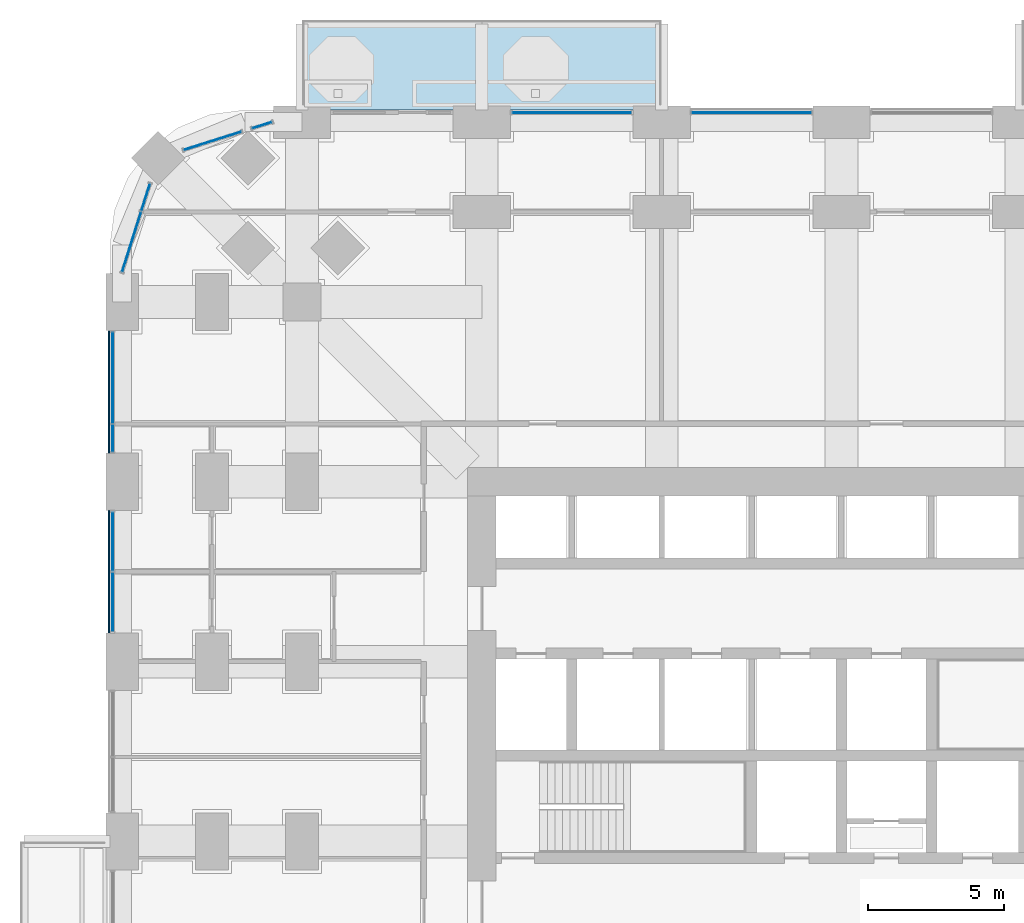
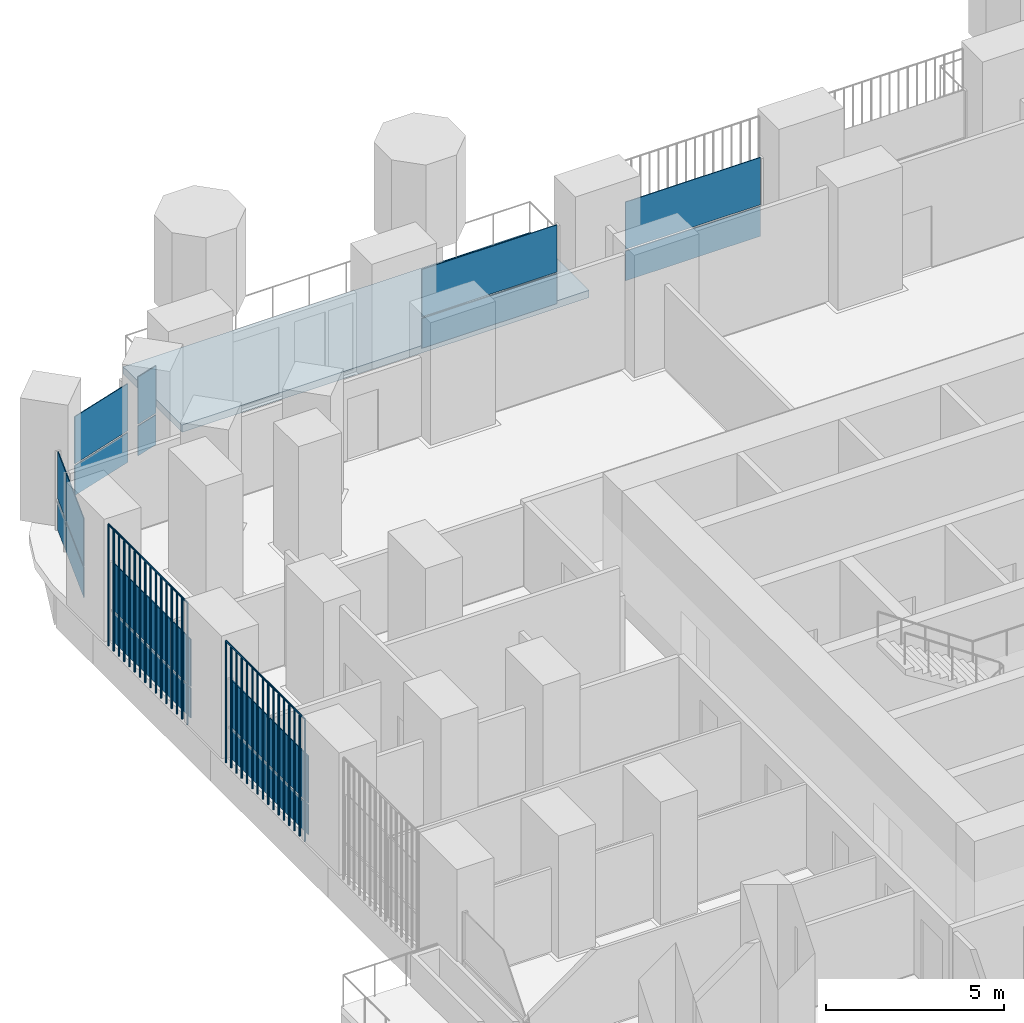
# One storey, part 15 of 27: 22 plates, 1 slab, 7 elements without a shape of their own.
"""IFC4 building model written with IfcOpenShell, lengths in metres."""

from ifc_helpers import new_model, si_unit, direction, frame, origin, origin_2d, place, context, subcontext, project, spatial, polyline, rectangle, outline, extrude, material, layer, layer_set, type_object, element, aggregate, save


model = new_model("IFC4")

# Units and contexts
model_context = context("Model", 3, precision=1e-05, world=origin(), true_north=direction((0.0, 1.0)))
body_context = subcontext(model_context, "Body", "Model", "MODEL_VIEW")
ifc_project = project(units=[si_unit("LENGTHUNIT", "METRE"), si_unit("AREAUNIT", "SQUARE_METRE"), si_unit("VOLUMEUNIT", "CUBIC_METRE"), si_unit("PLANEANGLEUNIT", "RADIAN"), si_unit("MASSUNIT", "GRAM", prefix="KILO")], contexts=[model_context])

# Site, building, storey
site_placement = place(None, origin())
site = spatial("IfcSite", under=ifc_project, at=site_placement, CompositionType="ELEMENT")
building_placement = place(site_placement, origin())
building = spatial("IfcBuilding", under=site, at=building_placement, Name="Cobogo Forest Laboratory Tower", CompositionType="ELEMENT")
storey_placement = place(building_placement, frame((0.0, 0.0, 46.5)))
storey = spatial("IfcBuildingStorey", under=building, at=storey_placement, Name="L10", CompositionType="ELEMENT", Elevation=46.5)

# Slab
ifc_material_1 = material(Name="Concrete HA-40 (C40/50)", Category="concrete")
ifc_layer_1 = layer(ifc_material_1, 0.25)
ifc_layer_set_1 = layer_set([ifc_layer_1], Name="Balcony slab 250")
slab_type = type_object("IfcSlabType", Name="Balcony slab 250", PredefinedType="FLOOR", material=ifc_layer_set_1)
slab_placement = place(storey_placement, frame((0.0, 0.0, -0.25)))
element("IfcSlab", 1, at=slab_placement, inside=storey, type_object=slab_type, Name="Balcony BAL-N1 L10", PredefinedType="FLOOR", context=body_context, shape_type="SweptSolid", body=[
    extrude(outline(polyline([(6.60009765625, 46.64990234375), (19.800048828125, 46.64990234375), (19.800048828125, 49.949951171875), (6.60009765625, 49.949951171875), (6.60009765625, 46.64990234375)])), origin(), (0.0, 0.0, 1.0), 0.25),
])

# Curtain wall, plates
ifc_material_2 = material(Name="Aluminium curtain wall", Category="aluminium")
curtain_wall_type = type_object("IfcCurtainWallType", Name="CW-1 unitised curtain wall, clear glazing, laboratory floors zones A and B", PredefinedType="USERDEFINED", material=ifc_material_2)
curtain_wall_1_placement = place(storey_placement, origin())
curtain_wall_1 = element("IfcCurtainWall", 2, at=curtain_wall_1_placement, inside=storey, type_object=curtain_wall_type, Name="Curtain wall 21 L10", ObjectType="UNITISED CURTAIN WALL", PredefinedType="USERDEFINED")
ifc_material_3 = material(Name="Clear insulated glass", Category="glass")
ifc_layer_2 = layer(ifc_material_3, 0.028076171875)
ifc_layer_set_2 = layer_set([ifc_layer_2], Name="GP-1 clear insulated glass unit 28")
plate_type_1 = type_object("IfcPlateType", Name="GP-1 clear insulated glass unit 28", PredefinedType="CURTAIN_PANEL", material=ifc_layer_set_2)
plate_1_placement = place(storey_placement, frame((23.10009765625, 46.550048828125, 0.0), z_axis=(0.0, 0.0, 1.0), x_axis=(-1.0, 0.0, 0.0)))
plate_1 = element("IfcPlate", 3, at=plate_1_placement, type_object=plate_type_1, Name="CW-1 panel 1.1", PredefinedType="CURTAIN_PANEL", context=body_context, shape_type="SweptSolid", body=[
    extrude(rectangle(XDim=4.3798828125, YDim=0.028076171875, at=origin_2d()), origin(), (0.0, 0.0, 1.0), 1.02001953125),
])
plate_2_placement = place(storey_placement, frame((23.10009765625, 46.550048828125, 1.079833984375), z_axis=(0.0, 0.0, 1.0), x_axis=(-1.0, 0.0, 0.0)))
plate_2 = element("IfcPlate", 4, at=plate_2_placement, type_object=plate_type_1, Name="CW-1 panel 1.2", PredefinedType="CURTAIN_PANEL", context=body_context, shape_type="SweptSolid", body=[
    extrude(rectangle(XDim=4.3798828125, YDim=0.028076171875, at=origin_2d()), origin(), (0.0, 0.0, 1.0), 1.6201171875),
])
aggregate(curtain_wall_1, [plate_1, plate_2])

curtain_wall_2_placement = place(storey_placement, origin())
curtain_wall_2 = element("IfcCurtainWall", 5, at=curtain_wall_2_placement, inside=storey, type_object=curtain_wall_type, Name="Curtain wall 22 L10", ObjectType="UNITISED CURTAIN WALL", PredefinedType="USERDEFINED")
plate_3_placement = place(storey_placement, frame((16.5, 46.550048828125, 0.0), z_axis=(0.0, 0.0, 1.0), x_axis=(-1.0, 0.0, 0.0)))
plate_3 = element("IfcPlate", 6, at=plate_3_placement, type_object=plate_type_1, Name="CW-1 panel 1.1", PredefinedType="CURTAIN_PANEL", context=body_context, shape_type="SweptSolid", body=[
    extrude(rectangle(XDim=4.3798828125, YDim=0.028076171875, at=origin_2d()), origin(), (0.0, 0.0, 1.0), 1.02001953125),
])
plate_4_placement = place(storey_placement, frame((16.5, 46.550048828125, 1.079833984375), z_axis=(0.0, 0.0, 1.0), x_axis=(-1.0, 0.0, 0.0)))
plate_4 = element("IfcPlate", 7, at=plate_4_placement, type_object=plate_type_1, Name="CW-1 panel 1.2", PredefinedType="CURTAIN_PANEL", context=body_context, shape_type="SweptSolid", body=[
    extrude(rectangle(XDim=4.3798828125, YDim=0.028076171875, at=origin_2d()), origin(), (0.0, 0.0, 1.0), 1.6201171875),
])
aggregate(curtain_wall_2, [plate_3, plate_4])

curtain_wall_3_placement = place(storey_placement, origin())
curtain_wall_3 = element("IfcCurtainWall", 8, at=curtain_wall_3_placement, inside=storey, type_object=curtain_wall_type, Name="Curtain wall 24 L10", ObjectType="UNITISED CURTAIN WALL", PredefinedType="USERDEFINED")
plate_5_placement = place(storey_placement, frame((5.134033203125, 46.087158203125, 0.0), z_axis=(0.0, 0.0, 1.0), x_axis=(-0.953581504428, -0.301135043481, 0.0)))
plate_5 = element("IfcPlate", 9, at=plate_5_placement, type_object=plate_type_1, Name="CW-1 panel 1.1", PredefinedType="CURTAIN_PANEL", context=body_context, shape_type="SweptSolid", body=[
    extrude(rectangle(XDim=0.75244140625, YDim=0.028076171875, at=origin_2d()), origin(), (0.0, 0.0, 1.0), 1.02001953125),
])
plate_6_placement = place(storey_placement, frame((5.134033203125, 46.087158203125, 1.079833984375), z_axis=(0.0, 0.0, 1.0), x_axis=(-0.953581504428, -0.301135043481, 0.0)))
plate_6 = element("IfcPlate", 10, at=plate_6_placement, type_object=plate_type_1, Name="CW-1 panel 1.2", PredefinedType="CURTAIN_PANEL", context=body_context, shape_type="SweptSolid", body=[
    extrude(rectangle(XDim=0.75244140625, YDim=0.028076171875, at=origin_2d()), origin(), (0.0, 0.0, 1.0), 1.6201171875),
])
aggregate(curtain_wall_3, [plate_5, plate_6])

curtain_wall_4_placement = place(storey_placement, origin())
curtain_wall_4 = element("IfcCurtainWall", 11, at=curtain_wall_4_placement, inside=storey, type_object=curtain_wall_type, Name="Curtain wall 25 L10", ObjectType="UNITISED CURTAIN WALL", PredefinedType="USERDEFINED")
plate_7_placement = place(storey_placement, frame((3.31787109375, 45.513427734375, 0.0), z_axis=(0.0, 0.0, 1.0), x_axis=(-0.953581409645, -0.301135343623, 0.0)))
plate_7 = element("IfcPlate", 12, at=plate_7_placement, type_object=plate_type_1, Name="CW-1 panel 1.1", PredefinedType="CURTAIN_PANEL", context=body_context, shape_type="SweptSolid", body=[
    extrude(rectangle(XDim=2.203369140625, YDim=0.028076171875, at=origin_2d()), origin(), (0.0, 0.0, 1.0), 1.02001953125),
])
plate_8_placement = place(storey_placement, frame((3.31787109375, 45.513427734375, 1.079833984375), z_axis=(0.0, 0.0, 1.0), x_axis=(-0.953581409645, -0.301135343623, 0.0)))
plate_8 = element("IfcPlate", 13, at=plate_8_placement, type_object=plate_type_1, Name="CW-1 panel 1.2", PredefinedType="CURTAIN_PANEL", context=body_context, shape_type="SweptSolid", body=[
    extrude(rectangle(XDim=2.203369140625, YDim=0.028076171875, at=origin_2d()), origin(), (0.0, 0.0, 1.0), 1.6201171875),
])
aggregate(curtain_wall_4, [plate_7, plate_8])

curtain_wall_5_placement = place(storey_placement, origin())
curtain_wall_5 = element("IfcCurtainWall", 14, at=curtain_wall_5_placement, inside=storey, type_object=curtain_wall_type, Name="Curtain wall 26 L10", ObjectType="UNITISED CURTAIN WALL", PredefinedType="USERDEFINED")
plate_9_placement = place(storey_placement, frame((0.863525390625, 43.442626953125, 0.0), z_axis=(0.0, 0.0, 1.0), x_axis=(-0.30113535792, -0.95358140513, 0.0)))
plate_9 = element("IfcPlate", 15, at=plate_9_placement, type_object=plate_type_1, Name="CW-1 panel 1.1", PredefinedType="CURTAIN_PANEL", context=body_context, shape_type="SweptSolid", body=[
    extrude(rectangle(XDim=1.027587890625, YDim=0.028076171875, at=origin_2d()), origin(), (0.0, 0.0, 1.0), 1.02001953125),
])
plate_10_placement = place(storey_placement, frame((0.863525390625, 43.442626953125, 1.079833984375), z_axis=(0.0, 0.0, 1.0), x_axis=(-0.30113535792, -0.95358140513, 0.0)))
plate_10 = element("IfcPlate", 16, at=plate_10_placement, type_object=plate_type_1, Name="CW-1 panel 1.2", PredefinedType="CURTAIN_PANEL", context=body_context, shape_type="SweptSolid", body=[
    extrude(rectangle(XDim=1.027587890625, YDim=0.028076171875, at=origin_2d()), origin(), (0.0, 0.0, 1.0), 1.6201171875),
])
plate_11_placement = place(storey_placement, frame((0.34521484375, 41.80126953125, 0.0), z_axis=(0.0, 0.0, 1.0), x_axis=(-0.30113535792, -0.95358140513, 0.0)))
plate_11 = element("IfcPlate", 17, at=plate_11_placement, type_object=plate_type_1, Name="CW-1 panel 2.1", PredefinedType="CURTAIN_PANEL", context=body_context, shape_type="SweptSolid", body=[
    extrude(rectangle(XDim=2.294677734375, YDim=0.028076171875, at=origin_2d()), origin(), (0.0, 0.0, 1.0), 1.02001953125),
])
plate_12_placement = place(storey_placement, frame((0.34521484375, 41.80126953125, 1.079833984375), z_axis=(0.0, 0.0, 1.0), x_axis=(-0.30113535792, -0.95358140513, 0.0)))
plate_12 = element("IfcPlate", 18, at=plate_12_placement, type_object=plate_type_1, Name="CW-1 panel 2.2", PredefinedType="CURTAIN_PANEL", context=body_context, shape_type="SweptSolid", body=[
    extrude(rectangle(XDim=2.294677734375, YDim=0.028076171875, at=origin_2d()), origin(), (0.0, 0.0, 1.0), 1.6201171875),
])
aggregate(curtain_wall_5, [plate_9, plate_10, plate_11, plate_12])

curtain_wall_6_placement = place(storey_placement, origin())
curtain_wall_6 = element("IfcCurtainWall", 19, at=curtain_wall_6_placement, inside=storey, type_object=curtain_wall_type, Name="Curtain wall 27 L10", ObjectType="UNITISED CURTAIN WALL", PredefinedType="USERDEFINED")
plate_13_placement = place(storey_placement, frame((-0.35009765625, 36.822509765625, 0.0), z_axis=(0.0, 0.0, 1.0), x_axis=(0.0, -1.0, 0.0)))
plate_13 = element("IfcPlate", 20, at=plate_13_placement, type_object=plate_type_1, Name="CW-1 panel 1.1", PredefinedType="CURTAIN_PANEL", context=body_context, shape_type="SweptSolid", body=[
    extrude(rectangle(XDim=3.3349609375, YDim=0.028076171875, at=origin_2d()), origin(), (0.0, 0.0, 1.0), 1.02001953125),
])
plate_14_placement = place(storey_placement, frame((-0.35009765625, 36.822509765625, 1.079833984375), z_axis=(0.0, 0.0, 1.0), x_axis=(0.0, -1.0, 0.0)))
plate_14 = element("IfcPlate", 21, at=plate_14_placement, type_object=plate_type_1, Name="CW-1 panel 1.2", PredefinedType="CURTAIN_PANEL", context=body_context, shape_type="SweptSolid", body=[
    extrude(rectangle(XDim=3.3349609375, YDim=0.028076171875, at=origin_2d()), origin(), (0.0, 0.0, 1.0), 1.6201171875),
])
plate_15_placement = place(storey_placement, frame((-0.35009765625, 34.6025390625, 0.0), z_axis=(0.0, 0.0, 1.0), x_axis=(0.0, -1.0, 0.0)))
plate_15 = element("IfcPlate", 22, at=plate_15_placement, type_object=plate_type_1, Name="CW-1 panel 2.1", PredefinedType="CURTAIN_PANEL", context=body_context, shape_type="SweptSolid", body=[
    extrude(rectangle(XDim=0.985107421875, YDim=0.028076171875, at=origin_2d()), origin(), (0.0, 0.0, 1.0), 1.02001953125),
])
plate_16_placement = place(storey_placement, frame((-0.35009765625, 34.6025390625, 1.079833984375), z_axis=(0.0, 0.0, 1.0), x_axis=(0.0, -1.0, 0.0)))
plate_16 = element("IfcPlate", 23, at=plate_16_placement, type_object=plate_type_1, Name="CW-1 panel 2.2", PredefinedType="CURTAIN_PANEL", context=body_context, shape_type="SweptSolid", body=[
    extrude(rectangle(XDim=0.985107421875, YDim=0.028076171875, at=origin_2d()), origin(), (0.0, 0.0, 1.0), 1.6201171875),
])
aggregate(curtain_wall_6, [plate_13, plate_14, plate_15, plate_16])

curtain_wall_7_placement = place(storey_placement, origin())
curtain_wall_7 = element("IfcCurtainWall", 24, at=curtain_wall_7_placement, inside=storey, type_object=curtain_wall_type, Name="Curtain wall 28 L10", ObjectType="UNITISED CURTAIN WALL", PredefinedType="USERDEFINED")
plate_17_placement = place(storey_placement, frame((-0.35009765625, 30.81005859375, 0.0), z_axis=(0.0, 0.0, 1.0), x_axis=(0.0, -1.0, 0.0)))
plate_17 = element("IfcPlate", 25, at=plate_17_placement, type_object=plate_type_1, Name="CW-1 panel 1.1", PredefinedType="CURTAIN_PANEL", context=body_context, shape_type="SweptSolid", body=[
    extrude(rectangle(XDim=2.159912109375, YDim=0.028076171875, at=origin_2d()), origin(), (0.0, 0.0, 1.0), 1.02001953125),
])
plate_18_placement = place(storey_placement, frame((-0.35009765625, 30.81005859375, 1.079833984375), z_axis=(0.0, 0.0, 1.0), x_axis=(0.0, -1.0, 0.0)))
plate_18 = element("IfcPlate", 26, at=plate_18_placement, type_object=plate_type_1, Name="CW-1 panel 1.2", PredefinedType="CURTAIN_PANEL", context=body_context, shape_type="SweptSolid", body=[
    extrude(rectangle(XDim=2.159912109375, YDim=0.028076171875, at=origin_2d()), origin(), (0.0, 0.0, 1.0), 1.6201171875),
])
plate_19_placement = place(storey_placement, frame((-0.35009765625, 28.590087890625, 0.0), z_axis=(0.0, 0.0, 1.0), x_axis=(0.0, -1.0, 0.0)))
plate_19 = element("IfcPlate", 27, at=plate_19_placement, type_object=plate_type_1, Name="CW-1 panel 2.1", PredefinedType="CURTAIN_PANEL", context=body_context, shape_type="SweptSolid", body=[
    extrude(rectangle(XDim=2.159912109375, YDim=0.028076171875, at=origin_2d()), origin(), (0.0, 0.0, 1.0), 1.02001953125),
])
plate_20_placement = place(storey_placement, frame((-0.35009765625, 28.590087890625, 1.079833984375), z_axis=(0.0, 0.0, 1.0), x_axis=(0.0, -1.0, 0.0)))
plate_20 = element("IfcPlate", 28, at=plate_20_placement, type_object=plate_type_1, Name="CW-1 panel 2.2", PredefinedType="CURTAIN_PANEL", context=body_context, shape_type="SweptSolid", body=[
    extrude(rectangle(XDim=2.159912109375, YDim=0.028076171875, at=origin_2d()), origin(), (0.0, 0.0, 1.0), 1.6201171875),
])
aggregate(curtain_wall_7, [plate_17, plate_18, plate_19, plate_20])

# Plates
ifc_material_4 = material(Name="Terracotta", Category="masonry")
plate_type_2 = type_object("IfcPlateType", Name="TB1 terracotta baguette screen", PredefinedType="USERDEFINED", material=ifc_material_4)
plate_21_placement = place(storey_placement, frame((-0.477783203125, 27.481201171875, -0.14990234375)))
element("IfcPlate", 29, at=plate_21_placement, inside=storey, type_object=plate_type_2, Name="Baguette screen W4 L10", ObjectType="BAGUETTE SCREEN", PredefinedType="USERDEFINED", context=body_context, shape_type="SweptSolid", body=[
    extrude(outline(polyline([(0.02880859375, 0.011962890625), (0.011962890625, 0.02880859375), (-0.011962890625, 0.02880859375), (-0.02880859375, 0.011962890625), (-0.02880859375, -0.011962890625), (-0.011962890625, -0.02880859375), (0.011962890625, -0.02880859375), (0.02880859375, -0.011962890625), (0.02880859375, 0.011962890625)])), frame((0.0, 0.0, 4.168701171875), z_axis=(0.0, 1.0, 0.0), x_axis=(-1.0, 0.0, 0.0)), (0.0, 0.0, 1.0), 4.4375),
    extrude(outline(polyline([(0.02880859375, 0.011962890625), (0.011962890625, 0.02880859375), (-0.011962890625, 0.02880859375), (-0.02880859375, 0.011962890625), (-0.02880859375, -0.011962890625), (-0.011962890625, -0.02880859375), (0.011962890625, -0.02880859375), (0.02880859375, -0.011962890625), (0.02880859375, 0.011962890625)])), origin(), (0.0, 0.0, 1.0), 4.137451171875),
    extrude(outline(polyline([(0.02880859375, 0.011962890625), (0.011962890625, 0.02880859375), (-0.011962890625, 0.02880859375), (-0.02880859375, 0.011962890625), (-0.02880859375, -0.011962890625), (-0.011962890625, -0.02880859375), (0.011962890625, -0.02880859375), (0.02880859375, -0.011962890625), (0.02880859375, 0.011962890625)])), frame((0.0, 0.2958984375, 0.0)), (0.0, 0.0, 1.0), 4.137451171875),
    extrude(outline(polyline([(0.02880859375, 0.011962890625), (0.011962890625, 0.02880859375), (-0.011962890625, 0.02880859375), (-0.02880859375, 0.011962890625), (-0.02880859375, -0.011962890625), (-0.011962890625, -0.02880859375), (0.011962890625, -0.02880859375), (0.02880859375, -0.011962890625), (0.02880859375, 0.011962890625)])), frame((0.0, 0.591552734375, 0.0)), (0.0, 0.0, 1.0), 4.137451171875),
    extrude(outline(polyline([(0.02880859375, 0.011962890625), (0.011962890625, 0.02880859375), (-0.011962890625, 0.02880859375), (-0.02880859375, 0.011962890625), (-0.02880859375, -0.011962890625), (-0.011962890625, -0.02880859375), (0.011962890625, -0.02880859375), (0.02880859375, -0.011962890625), (0.02880859375, 0.011962890625)])), frame((0.0, 0.887451171875, 0.0)), (0.0, 0.0, 1.0), 4.137451171875),
    extrude(outline(polyline([(0.02880859375, 0.011962890625), (0.011962890625, 0.02880859375), (-0.011962890625, 0.02880859375), (-0.02880859375, 0.011962890625), (-0.02880859375, -0.011962890625), (-0.011962890625, -0.02880859375), (0.011962890625, -0.02880859375), (0.02880859375, -0.011962890625), (0.02880859375, 0.011962890625)])), frame((0.0, 1.183349609375, 0.0)), (0.0, 0.0, 1.0), 4.137451171875),
    extrude(outline(polyline([(0.02880859375, 0.011962890625), (0.011962890625, 0.02880859375), (-0.011962890625, 0.02880859375), (-0.02880859375, 0.011962890625), (-0.02880859375, -0.011962890625), (-0.011962890625, -0.02880859375), (0.011962890625, -0.02880859375), (0.02880859375, -0.011962890625), (0.02880859375, 0.011962890625)])), frame((0.0, 1.479248046875, 0.0)), (0.0, 0.0, 1.0), 4.137451171875),
    extrude(outline(polyline([(0.02880859375, 0.011962890625), (0.011962890625, 0.02880859375), (-0.011962890625, 0.02880859375), (-0.02880859375, 0.011962890625), (-0.02880859375, -0.011962890625), (-0.011962890625, -0.02880859375), (0.011962890625, -0.02880859375), (0.02880859375, -0.011962890625), (0.02880859375, 0.011962890625)])), frame((0.0, 1.77490234375, 0.0)), (0.0, 0.0, 1.0), 4.137451171875),
    extrude(outline(polyline([(0.02880859375, 0.011962890625), (0.011962890625, 0.02880859375), (-0.011962890625, 0.02880859375), (-0.02880859375, 0.011962890625), (-0.02880859375, -0.011962890625), (-0.011962890625, -0.02880859375), (0.011962890625, -0.02880859375), (0.02880859375, -0.011962890625), (0.02880859375, 0.011962890625)])), frame((0.0, 2.07080078125, 0.0)), (0.0, 0.0, 1.0), 4.137451171875),
    extrude(outline(polyline([(0.02880859375, 0.011962890625), (0.011962890625, 0.02880859375), (-0.011962890625, 0.02880859375), (-0.02880859375, 0.011962890625), (-0.02880859375, -0.011962890625), (-0.011962890625, -0.02880859375), (0.011962890625, -0.02880859375), (0.02880859375, -0.011962890625), (0.02880859375, 0.011962890625)])), frame((0.0, 2.36669921875, 0.0)), (0.0, 0.0, 1.0), 4.137451171875),
    extrude(outline(polyline([(0.02880859375, 0.011962890625), (0.011962890625, 0.02880859375), (-0.011962890625, 0.02880859375), (-0.02880859375, 0.011962890625), (-0.02880859375, -0.011962890625), (-0.011962890625, -0.02880859375), (0.011962890625, -0.02880859375), (0.02880859375, -0.011962890625), (0.02880859375, 0.011962890625)])), frame((0.0, 2.66259765625, 0.0)), (0.0, 0.0, 1.0), 4.137451171875),
    extrude(outline(polyline([(0.02880859375, 0.011962890625), (0.011962890625, 0.02880859375), (-0.011962890625, 0.02880859375), (-0.02880859375, 0.011962890625), (-0.02880859375, -0.011962890625), (-0.011962890625, -0.02880859375), (0.011962890625, -0.02880859375), (0.02880859375, -0.011962890625), (0.02880859375, 0.011962890625)])), frame((0.0, 2.958251953125, 0.0)), (0.0, 0.0, 1.0), 4.137451171875),
    extrude(outline(polyline([(0.02880859375, 0.011962890625), (0.011962890625, 0.02880859375), (-0.011962890625, 0.02880859375), (-0.02880859375, 0.011962890625), (-0.02880859375, -0.011962890625), (-0.011962890625, -0.02880859375), (0.011962890625, -0.02880859375), (0.02880859375, -0.011962890625), (0.02880859375, 0.011962890625)])), frame((0.0, 3.254150390625, 0.0)), (0.0, 0.0, 1.0), 4.137451171875),
    extrude(outline(polyline([(0.02880859375, 0.011962890625), (0.011962890625, 0.02880859375), (-0.011962890625, 0.02880859375), (-0.02880859375, 0.011962890625), (-0.02880859375, -0.011962890625), (-0.011962890625, -0.02880859375), (0.011962890625, -0.02880859375), (0.02880859375, -0.011962890625), (0.02880859375, 0.011962890625)])), frame((0.0, 3.550048828125, 0.0)), (0.0, 0.0, 1.0), 4.137451171875),
    extrude(outline(polyline([(0.02880859375, 0.011962890625), (0.011962890625, 0.02880859375), (-0.011962890625, 0.02880859375), (-0.02880859375, 0.011962890625), (-0.02880859375, -0.011962890625), (-0.011962890625, -0.02880859375), (0.011962890625, -0.02880859375), (0.02880859375, -0.011962890625), (0.02880859375, 0.011962890625)])), frame((0.0, 3.845947265625, 0.0)), (0.0, 0.0, 1.0), 4.137451171875),
    extrude(outline(polyline([(0.02880859375, 0.011962890625), (0.011962890625, 0.02880859375), (-0.011962890625, 0.02880859375), (-0.02880859375, 0.011962890625), (-0.02880859375, -0.011962890625), (-0.011962890625, -0.02880859375), (0.011962890625, -0.02880859375), (0.02880859375, -0.011962890625), (0.02880859375, 0.011962890625)])), frame((0.0, 4.1416015625, 0.0)), (0.0, 0.0, 1.0), 4.137451171875),
    extrude(outline(polyline([(0.02880859375, 0.011962890625), (0.011962890625, 0.02880859375), (-0.011962890625, 0.02880859375), (-0.02880859375, 0.011962890625), (-0.02880859375, -0.011962890625), (-0.011962890625, -0.02880859375), (0.011962890625, -0.02880859375), (0.02880859375, -0.011962890625), (0.02880859375, 0.011962890625)])), frame((0.0, 4.4375, 0.0)), (0.0, 0.0, 1.0), 4.137451171875),
])
plate_22_placement = place(storey_placement, frame((-0.477783203125, 34.081298828125, -0.14990234375)))
element("IfcPlate", 30, at=plate_22_placement, inside=storey, type_object=plate_type_2, Name="Baguette screen W5 L10", ObjectType="BAGUETTE SCREEN", PredefinedType="USERDEFINED", context=body_context, shape_type="SweptSolid", body=[
    extrude(outline(polyline([(0.02880859375, 0.011962890625), (0.011962890625, 0.02880859375), (-0.011962890625, 0.02880859375), (-0.02880859375, 0.011962890625), (-0.02880859375, -0.011962890625), (-0.011962890625, -0.02880859375), (0.011962890625, -0.02880859375), (0.02880859375, -0.011962890625), (0.02880859375, 0.011962890625)])), frame((0.0, 0.0, 4.168701171875), z_axis=(0.0, 1.0, 0.0), x_axis=(-1.0, 0.0, 0.0)), (0.0, 0.0, 1.0), 4.4375),
    extrude(outline(polyline([(0.02880859375, 0.011962890625), (0.011962890625, 0.02880859375), (-0.011962890625, 0.02880859375), (-0.02880859375, 0.011962890625), (-0.02880859375, -0.011962890625), (-0.011962890625, -0.02880859375), (0.011962890625, -0.02880859375), (0.02880859375, -0.011962890625), (0.02880859375, 0.011962890625)])), origin(), (0.0, 0.0, 1.0), 4.137451171875),
    extrude(outline(polyline([(0.02880859375, 0.011962890625), (0.011962890625, 0.02880859375), (-0.011962890625, 0.02880859375), (-0.02880859375, 0.011962890625), (-0.02880859375, -0.011962890625), (-0.011962890625, -0.02880859375), (0.011962890625, -0.02880859375), (0.02880859375, -0.011962890625), (0.02880859375, 0.011962890625)])), frame((0.0, 0.2958984375, 0.0)), (0.0, 0.0, 1.0), 4.137451171875),
    extrude(outline(polyline([(0.02880859375, 0.011962890625), (0.011962890625, 0.02880859375), (-0.011962890625, 0.02880859375), (-0.02880859375, 0.011962890625), (-0.02880859375, -0.011962890625), (-0.011962890625, -0.02880859375), (0.011962890625, -0.02880859375), (0.02880859375, -0.011962890625), (0.02880859375, 0.011962890625)])), frame((0.0, 0.591552734375, 0.0)), (0.0, 0.0, 1.0), 4.137451171875),
    extrude(outline(polyline([(0.02880859375, 0.011962890625), (0.011962890625, 0.02880859375), (-0.011962890625, 0.02880859375), (-0.02880859375, 0.011962890625), (-0.02880859375, -0.011962890625), (-0.011962890625, -0.02880859375), (0.011962890625, -0.02880859375), (0.02880859375, -0.011962890625), (0.02880859375, 0.011962890625)])), frame((0.0, 0.887451171875, 0.0)), (0.0, 0.0, 1.0), 4.137451171875),
    extrude(outline(polyline([(0.02880859375, 0.011962890625), (0.011962890625, 0.02880859375), (-0.011962890625, 0.02880859375), (-0.02880859375, 0.011962890625), (-0.02880859375, -0.011962890625), (-0.011962890625, -0.02880859375), (0.011962890625, -0.02880859375), (0.02880859375, -0.011962890625), (0.02880859375, 0.011962890625)])), frame((0.0, 1.183349609375, 0.0)), (0.0, 0.0, 1.0), 4.137451171875),
    extrude(outline(polyline([(0.02880859375, 0.011962890625), (0.011962890625, 0.02880859375), (-0.011962890625, 0.02880859375), (-0.02880859375, 0.011962890625), (-0.02880859375, -0.011962890625), (-0.011962890625, -0.02880859375), (0.011962890625, -0.02880859375), (0.02880859375, -0.011962890625), (0.02880859375, 0.011962890625)])), frame((0.0, 1.479248046875, 0.0)), (0.0, 0.0, 1.0), 4.137451171875),
    extrude(outline(polyline([(0.02880859375, 0.011962890625), (0.011962890625, 0.02880859375), (-0.011962890625, 0.02880859375), (-0.02880859375, 0.011962890625), (-0.02880859375, -0.011962890625), (-0.011962890625, -0.02880859375), (0.011962890625, -0.02880859375), (0.02880859375, -0.011962890625), (0.02880859375, 0.011962890625)])), frame((0.0, 1.77490234375, 0.0)), (0.0, 0.0, 1.0), 4.137451171875),
    extrude(outline(polyline([(0.02880859375, 0.011962890625), (0.011962890625, 0.02880859375), (-0.011962890625, 0.02880859375), (-0.02880859375, 0.011962890625), (-0.02880859375, -0.011962890625), (-0.011962890625, -0.02880859375), (0.011962890625, -0.02880859375), (0.02880859375, -0.011962890625), (0.02880859375, 0.011962890625)])), frame((0.0, 2.07080078125, 0.0)), (0.0, 0.0, 1.0), 4.137451171875),
    extrude(outline(polyline([(0.02880859375, 0.011962890625), (0.011962890625, 0.02880859375), (-0.011962890625, 0.02880859375), (-0.02880859375, 0.011962890625), (-0.02880859375, -0.011962890625), (-0.011962890625, -0.02880859375), (0.011962890625, -0.02880859375), (0.02880859375, -0.011962890625), (0.02880859375, 0.011962890625)])), frame((0.0, 2.36669921875, 0.0)), (0.0, 0.0, 1.0), 4.137451171875),
    extrude(outline(polyline([(0.02880859375, 0.011962890625), (0.011962890625, 0.02880859375), (-0.011962890625, 0.02880859375), (-0.02880859375, 0.011962890625), (-0.02880859375, -0.011962890625), (-0.011962890625, -0.02880859375), (0.011962890625, -0.02880859375), (0.02880859375, -0.011962890625), (0.02880859375, 0.011962890625)])), frame((0.0, 2.66259765625, 0.0)), (0.0, 0.0, 1.0), 4.137451171875),
    extrude(outline(polyline([(0.02880859375, 0.011962890625), (0.011962890625, 0.02880859375), (-0.011962890625, 0.02880859375), (-0.02880859375, 0.011962890625), (-0.02880859375, -0.011962890625), (-0.011962890625, -0.02880859375), (0.011962890625, -0.02880859375), (0.02880859375, -0.011962890625), (0.02880859375, 0.011962890625)])), frame((0.0, 2.958251953125, 0.0)), (0.0, 0.0, 1.0), 4.137451171875),
    extrude(outline(polyline([(0.02880859375, 0.011962890625), (0.011962890625, 0.02880859375), (-0.011962890625, 0.02880859375), (-0.02880859375, 0.011962890625), (-0.02880859375, -0.011962890625), (-0.011962890625, -0.02880859375), (0.011962890625, -0.02880859375), (0.02880859375, -0.011962890625), (0.02880859375, 0.011962890625)])), frame((0.0, 3.254150390625, 0.0)), (0.0, 0.0, 1.0), 4.137451171875),
    extrude(outline(polyline([(0.02880859375, 0.011962890625), (0.011962890625, 0.02880859375), (-0.011962890625, 0.02880859375), (-0.02880859375, 0.011962890625), (-0.02880859375, -0.011962890625), (-0.011962890625, -0.02880859375), (0.011962890625, -0.02880859375), (0.02880859375, -0.011962890625), (0.02880859375, 0.011962890625)])), frame((0.0, 3.550048828125, 0.0)), (0.0, 0.0, 1.0), 4.137451171875),
    extrude(outline(polyline([(0.02880859375, 0.011962890625), (0.011962890625, 0.02880859375), (-0.011962890625, 0.02880859375), (-0.02880859375, 0.011962890625), (-0.02880859375, -0.011962890625), (-0.011962890625, -0.02880859375), (0.011962890625, -0.02880859375), (0.02880859375, -0.011962890625), (0.02880859375, 0.011962890625)])), frame((0.0, 3.845947265625, 0.0)), (0.0, 0.0, 1.0), 4.137451171875),
    extrude(outline(polyline([(0.02880859375, 0.011962890625), (0.011962890625, 0.02880859375), (-0.011962890625, 0.02880859375), (-0.02880859375, 0.011962890625), (-0.02880859375, -0.011962890625), (-0.011962890625, -0.02880859375), (0.011962890625, -0.02880859375), (0.02880859375, -0.011962890625), (0.02880859375, 0.011962890625)])), frame((0.0, 4.1416015625, 0.0)), (0.0, 0.0, 1.0), 4.137451171875),
    extrude(outline(polyline([(0.02880859375, 0.011962890625), (0.011962890625, 0.02880859375), (-0.011962890625, 0.02880859375), (-0.02880859375, 0.011962890625), (-0.02880859375, -0.011962890625), (-0.011962890625, -0.02880859375), (0.011962890625, -0.02880859375), (0.02880859375, -0.011962890625), (0.02880859375, 0.011962890625)])), frame((0.0, 4.4375, 0.0)), (0.0, 0.0, 1.0), 4.137451171875),
])

save(model, "model.ifc")
